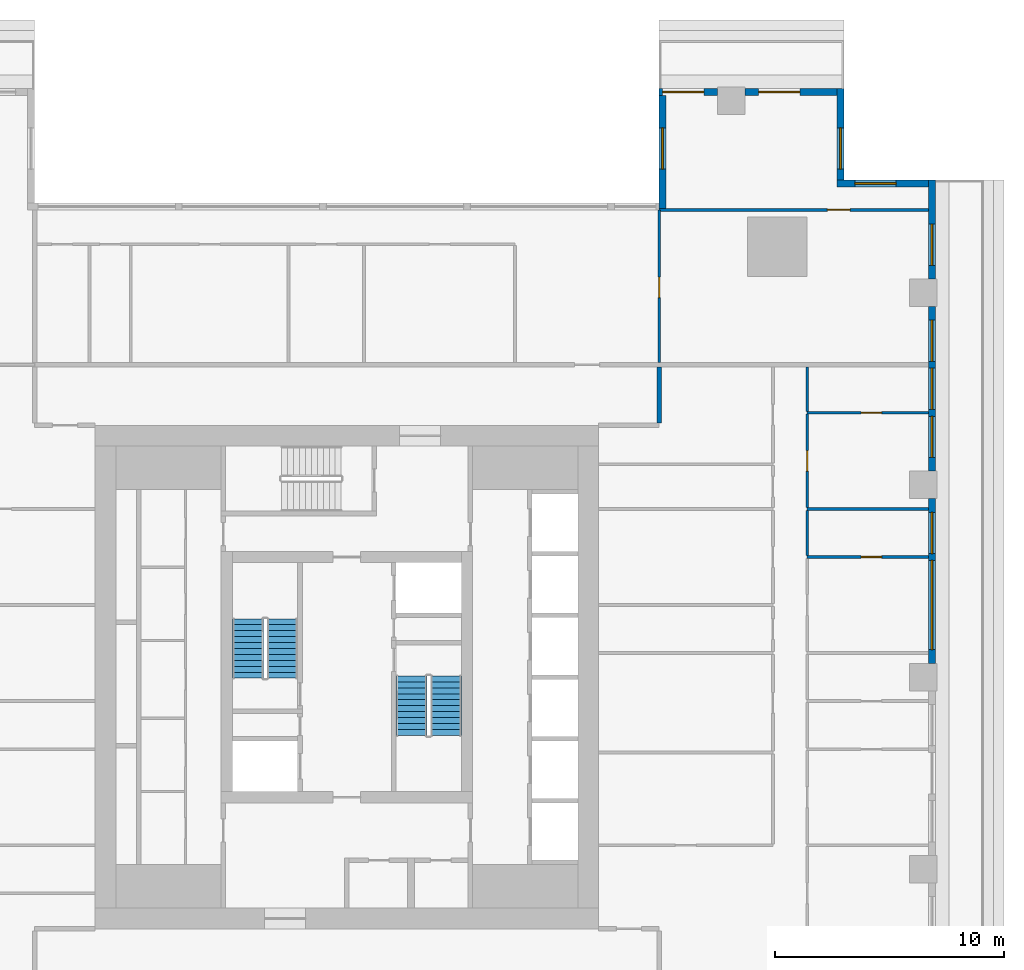
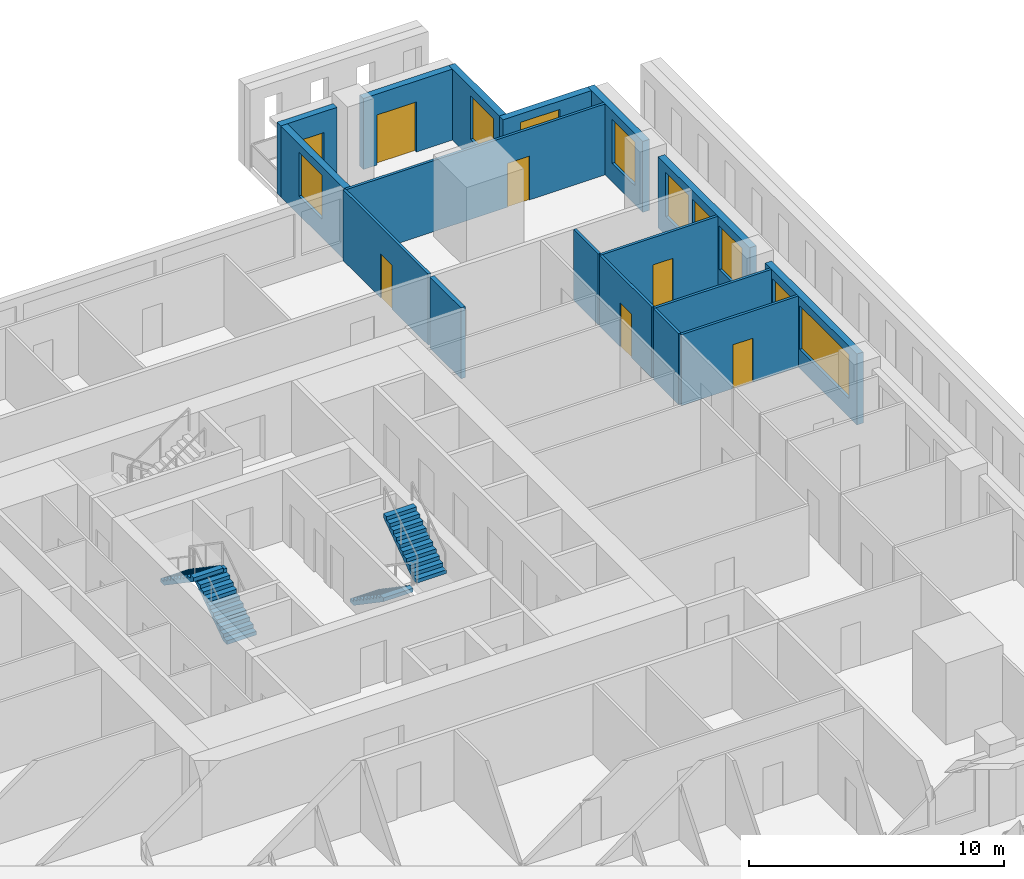
# One storey, part 9 of 16: 17 walls, 9 windows, 7 doors, 4 stair flights, 16 openings, 2 elements without a shape of their own.
"""IFC4 building model written with IfcOpenShell, lengths in metres."""

import ifcopenshell
import ifcopenshell.guid

model = None  # the IFC model being written
_history = None  # IfcOwnerHistory: only IFC2X3 demands one
_inside = {}  # id of a spatial element -> (the spatial element, [elements in it])
_under = {}  # id of a project, library or spatial element -> (it, [spatial elements below it])
_declared = {}  # id of a project -> (the project, [libraries it declares])
_typed = {}  # id of a type object -> (the type object, [elements of that type])
_made_of = {}  # id of a material, layer set ... -> (it, [elements and type objects made of it])


def new_model(schema):
    """Start an empty IFC model of exactly this schema.

    Asked for "IFC4X3", IfcOpenShell would pick the latest addendum, in which some entities
    have other attributes; the version numbers below select the first issue.
    IFC2X3 requires an IfcOwnerHistory on every rooted entity: one is made here for all.
    """
    global model, _history
    if schema == "IFC4X3":
        model = ifcopenshell.file(schema_version=(4, 3, 0, 0))
    else:
        model = ifcopenshell.file(schema=schema)
    _inside.clear()
    _under.clear()
    _declared.clear()
    _typed.clear()
    _made_of.clear()
    _history = None
    if model.schema == "IFC2X3":
        org = make("IfcOrganization", Name="unknown")
        user = make(
            "IfcPersonAndOrganization",
            ThePerson=make("IfcPerson", FamilyName="unknown"),
            TheOrganization=org,
        )
        app = make(
            "IfcApplication",
            ApplicationDeveloper=org,
            Version="unknown",
            ApplicationFullName="unknown",
            ApplicationIdentifier="unknown",
        )
        _history = make(
            "IfcOwnerHistory",
            OwningUser=user,
            OwningApplication=app,
            ChangeAction="ADDED",
            CreationDate=0,
        )
    return model


def make(cls, **values):
    """One entity of the class cls with the attributes given. An attribute that is None is left unset."""
    return model.create_entity(
        cls, **{name: value for name, value in values.items() if value is not None}
    )


def rooted(cls, **values):
    """An entity with a GlobalId (a new one), such as an element, a storey or a relation."""
    return make(cls, GlobalId=ifcopenshell.guid.new(), OwnerHistory=_history, **values)


def si_unit(unit_type, name, prefix=None):
    """IfcSIUnit, for example si_unit("LENGTHUNIT", "METRE", prefix="MILLI")."""
    return make("IfcSIUnit", UnitType=unit_type, Prefix=prefix, Name=name)


def assignment(units):
    """IfcUnitAssignment: the units of a project."""
    return None if units is None else make("IfcUnitAssignment", Units=units)


def point(xyz):
    """IfcCartesianPoint."""
    return None if xyz is None else make("IfcCartesianPoint", Coordinates=xyz)


def direction(xyz):
    """IfcDirection."""
    return None if xyz is None else make("IfcDirection", DirectionRatios=xyz)


def frame(location, z_axis=None, x_axis=None):
    """IfcAxis2Placement3D, a coordinate frame: its origin and axes. An axis left out is left unset."""
    return make(
        "IfcAxis2Placement3D",
        Location=point(location),
        Axis=direction(z_axis),
        RefDirection=direction(x_axis),
    )


def frame_2d(location, x_axis=None):
    """IfcAxis2Placement2D, a coordinate frame in the plane: its origin and x axis."""
    return make(
        "IfcAxis2Placement2D", Location=point(location), RefDirection=direction(x_axis)
    )


def origin():
    """The frame at (0, 0, 0) with its axes left unset."""
    return frame((0.0, 0.0, 0.0))


def place(relative_to, where):
    """IfcLocalPlacement: puts the frame where relative to a parent placement (None: the world)."""
    return make(
        "IfcLocalPlacement", PlacementRelTo=relative_to, RelativePlacement=where
    )


def context(
    kind, dimensions, precision=None, world=None, true_north=None, identifier=None
):
    """IfcGeometricRepresentationContext, for example the 3D "Model" context."""
    return make(
        "IfcGeometricRepresentationContext",
        ContextIdentifier=identifier,
        ContextType=kind,
        CoordinateSpaceDimension=dimensions,
        Precision=precision,
        WorldCoordinateSystem=world,
        TrueNorth=true_north,
    )


def subcontext(parent, identifier, kind, view, scale=None):
    """IfcGeometricRepresentationSubContext, for example "Body" below "Model"."""
    return make(
        "IfcGeometricRepresentationSubContext",
        ContextIdentifier=identifier,
        ContextType=kind,
        ParentContext=parent,
        TargetScale=scale,
        TargetView=view,
    )


def project(units=None, contexts=None):
    """IfcProject with its units and contexts."""
    return rooted(
        "IfcProject",
        Name="project",
        RepresentationContexts=contexts,
        UnitsInContext=assignment(units),
    )


def spatial(cls, under=None, at=None, **own):
    """A site, building, storey or space (cls), placed at a placement, below another one or the project."""
    s = rooted(cls, ObjectPlacement=at, **own)
    if under is not None:
        _under.setdefault(under.id(), (under, []))[1].append(s)
    return s


def polyline(points):
    """IfcPolyline through the points."""
    return make("IfcPolyline", Points=[point(p) for p in points])


def profile(cls, at=None, kind="AREA", **sizes):
    """A parametric profile (cls). Its sizes go by their IFC names, for example OverallWidth=200.0."""
    return make(cls, ProfileType=kind, Position=at, **sizes)


def rectangle(**sizes):
    """IfcRectangleProfileDef."""
    return profile("IfcRectangleProfileDef", **sizes)


def outline(outer, holes=None, kind="AREA"):
    """IfcArbitraryClosedProfileDef: a profile drawn as a closed curve; with holes, ...WithVoids."""
    if holes is None:
        return make("IfcArbitraryClosedProfileDef", ProfileType=kind, OuterCurve=outer)
    return make(
        "IfcArbitraryProfileDefWithVoids",
        ProfileType=kind,
        OuterCurve=outer,
        InnerCurves=holes,
    )


def extrude(swept, where, along, depth):
    """IfcExtrudedAreaSolid: the profile swept, set in the frame where, extruded along a direction by depth."""
    return make(
        "IfcExtrudedAreaSolid",
        SweptArea=swept,
        Position=where,
        ExtrudedDirection=direction(along),
        Depth=depth,
    )


def shape(context_of_items, identifier, shape_type, items):
    """IfcShapeRepresentation: the items that make up one representation, for example the "Body"."""
    return make(
        "IfcShapeRepresentation",
        ContextOfItems=context_of_items,
        RepresentationIdentifier=identifier,
        RepresentationType=shape_type,
        Items=items,
    )


def material(Name=None, Category=None):
    """IfcMaterial."""
    return make("IfcMaterial", Name=Name, Category=Category)


def layer(
    of_material, thickness, ventilated=None, Name=None, Category=None, Priority=None
):
    """IfcMaterialLayer: one layer of a wall or slab, of a material (None: an air gap)."""
    return make(
        "IfcMaterialLayer",
        Material=of_material,
        LayerThickness=thickness,
        IsVentilated=ventilated,
        Name=Name,
        Category=Category,
        Priority=Priority,
    )


def layer_set(layers, Name=None):
    """IfcMaterialLayerSet."""
    return make("IfcMaterialLayerSet", MaterialLayers=layers, LayerSetName=Name)


def made_of(thing, what):
    """Note that an element or type object is made of a material, layer set ...; save() writes the relation."""
    if what is not None:
        _made_of.setdefault(what.id(), (what, []))[1].append(thing)
    return thing


def type_object(cls, material=None, **own):
    """A type object (cls), such as IfcWallType, which elements share."""
    return made_of(rooted(cls, **own), material)


def element(
    cls,
    number,
    at=None,
    inside=None,
    cuts=None,
    type_object=None,
    material=None,
    context=None,
    identifier="Body",
    shape_type=None,
    held_by="IfcProductDefinitionShape",
    body=None,
    shapes=None,
    **own,
):
    """One element of the class cls, such as IfcWall. Its Tag is "e" and its number.

    at: its placement. inside: the storey or other place that contains it. cuts: it is an
    opening in that element (IfcRelVoidsElement). A single representation is given by context,
    identifier, shape_type and body (its items); several are given by shapes. held_by: the class
    of the entity that holds the representations. save() writes the other relations.
    """
    e = rooted(cls, Tag="e%d" % number, ObjectPlacement=at, **own)
    if body is not None:
        shapes = [shape(context, identifier, shape_type, body)]
    if shapes is not None:
        e.Representation = make(held_by, Representations=shapes)
    if inside is not None:
        _inside.setdefault(inside.id(), (inside, []))[1].append(e)
    if cuts is not None:
        rooted(
            "IfcRelVoidsElement", RelatingBuildingElement=cuts, RelatedOpeningElement=e
        )
    if type_object is not None:
        _typed.setdefault(type_object.id(), (type_object, []))[1].append(e)
    return made_of(e, material)


def fill(opening, filler):
    """IfcRelFillsElement: the door or window that sits in an opening."""
    return rooted(
        "IfcRelFillsElement",
        RelatingOpeningElement=opening,
        RelatedBuildingElement=filler,
    )


def aggregate(whole, parts):
    """IfcRelAggregates: a whole, such as a stair, and the parts it consists of."""
    return rooted("IfcRelAggregates", RelatingObject=whole, RelatedObjects=parts)


def save(model, path):
    """Write the relations noted so far, then the file.

    IfcRelAggregates (storeys below a building ...), IfcRelContainedInSpatialStructure (elements
    in a storey), IfcRelDefinesByType, IfcRelAssociatesMaterial and IfcRelDeclares: one each for
    every whole, place, type object, material and project.
    """
    for whole, parts in _under.values():
        aggregate(whole, parts)
    for where, things in _inside.values():
        rooted(
            "IfcRelContainedInSpatialStructure",
            RelatedElements=things,
            RelatingStructure=where,
        )
    for kind, things in _typed.values():
        rooted("IfcRelDefinesByType", RelatedObjects=things, RelatingType=kind)
    for what, things in _made_of.values():
        rooted("IfcRelAssociatesMaterial", RelatedObjects=things, RelatingMaterial=what)
    for by, libraries in _declared.values():
        rooted("IfcRelDeclares", RelatingContext=by, RelatedDefinitions=libraries)
    model.write(path)


model = new_model("IFC4")

# Units and contexts
model_context = context("Model", 3, precision=1e-05, world=origin(), true_north=direction((0.0, 1.0)))
body_context = subcontext(model_context, "Body", "Model", "MODEL_VIEW")
ifc_project = project(units=[si_unit("LENGTHUNIT", "METRE"), si_unit("AREAUNIT", "SQUARE_METRE"), si_unit("VOLUMEUNIT", "CUBIC_METRE"), si_unit("PLANEANGLEUNIT", "RADIAN"), si_unit("MASSUNIT", "GRAM", prefix="KILO")], contexts=[model_context])

# Site, building, storey
site_placement = place(None, origin())
site = spatial("IfcSite", under=ifc_project, at=site_placement, CompositionType="ELEMENT")
building_placement = place(site_placement, origin())
building = spatial("IfcBuilding", under=site, at=building_placement, Name="Khepri Terraces", CompositionType="ELEMENT")
storey_placement = place(building_placement, frame((0.0, 0.0, 176.699951171875)))
storey = spatial("IfcBuildingStorey", under=building, at=storey_placement, Name="L42", CompositionType="ELEMENT", Elevation=176.699951171875)

# Wall
ifc_material_1 = material(Name="Fire-rated gypsum plasterboard partition, mineral wool")
ifc_layer_1 = layer(ifc_material_1, 0.199951171875, Name="Fire-rated gypsum plasterboard partition, mineral wool")
ifc_layer_set_1 = layer_set([ifc_layer_1], Name="Fire-rated gypsum plasterboard partition, mineral wool")
wall_type_1 = type_object("IfcWallType", Name="WL-CORR-200", PredefinedType="PARTITIONING", material=ifc_layer_set_1)
wall_1_placement = place(storey_placement, frame((13.64990234375, 11.10009765625, 0.0), z_axis=(0.0, 0.0, 1.0), x_axis=(0.0, 1.0, 0.0)))
element("IfcWall", 1, at=wall_1_placement, inside=storey, type_object=wall_type_1, Name="Partition P-086 L42", PredefinedType="PARTITIONING", context=body_context, shape_type="SweptSolid", body=[
    extrude(rectangle(XDim=2.449951171875, YDim=0.199951171875, at=frame_2d((1.22509765625, 0.0))), origin(), (0.0, 0.0, 1.0), 3.400146484375),
])

# Wall, openings, windows
ifc_material_2 = material(Name="Precast concrete C50/60 warm stone", Category="masonry")
ifc_layer_2 = layer(ifc_material_2, 0.300048828125, Name="Precast concrete C50/60 warm stone", Category="masonry")
ifc_layer_set_2 = layer_set([ifc_layer_2], Name="Precast concrete C50/60 warm stone")
wall_type_2 = type_object("IfcWallType", Name="WL-EXT-PRECAST-300", PredefinedType="STANDARD", material=ifc_layer_set_2)
wall_2_placement = place(storey_placement, frame((25.570068359375, 0.60009765625, 0.0), z_axis=(0.0, 0.0, 1.0), x_axis=(0.0, 1.0, 0.0)))
wall_2 = element("IfcWall", 2, at=wall_2_placement, inside=storey, type_object=wall_type_2, Name="External wall L42 E", PredefinedType="STANDARD", context=body_context, shape_type="SweptSolid", body=[
    extrude(rectangle(XDim=7.199951171875, YDim=0.300048828125, at=frame_2d((3.60009765625, 0.0))), origin(), (0.0, 0.0, 1.0), 3.400146484375),
])
opening_1_placement = place(wall_2_placement, frame((0.60009765625, 0.0, 0.89990234375)))
opening_1 = element("IfcOpeningElement", 3, at=opening_1_placement, cuts=wall_2, Name="Opening W2", PredefinedType="OPENING", context=body_context, shape_type="SweptSolid", body=[
    extrude(rectangle(XDim=3.89990234375, YDim=2.10009765625, at=frame_2d((1.949951171875, 1.050048828125))), frame((0.0, 0.16015625, 0.0), z_axis=(0.0, -1.0, 0.0), x_axis=(1.0, 0.0, 0.0)), (0.0, 0.0, 1.0), 0.320068359375),
])
opening_2_placement = place(wall_2_placement, frame((4.800048828125, 0.0, 0.89990234375)))
opening_2 = element("IfcOpeningElement", 4, at=opening_2_placement, cuts=wall_2, Name="Opening W1", PredefinedType="OPENING", context=body_context, shape_type="SweptSolid", body=[
    extrude(rectangle(XDim=1.800048828125, YDim=2.10009765625, at=frame_2d((0.89990234375, 1.050048828125))), frame((0.0, 0.16015625, 0.0), z_axis=(0.0, -1.0, 0.0), x_axis=(1.0, 0.0, 0.0)), (0.0, 0.0, 1.0), 0.320068359375),
])
ifc_material_3 = material(Name="Clear glass", Category="glass")
window_type_1 = type_object("IfcWindowType", Name="WIN-RES-1800x2100", PartitioningType="SINGLE_PANEL", PredefinedType="WINDOW", material=ifc_material_3)
window_1_placement = place(opening_2_placement, origin())
window_1 = element("IfcWindow", 5, at=window_1_placement, inside=storey, type_object=window_type_1, Name="Window L42 E", OverallHeight=2.10009765625, OverallWidth=1.800048828125, PartitioningType="SINGLE_PANEL", PredefinedType="WINDOW", context=body_context, shape_type="SweptSolid", body=[
    extrude(rectangle(XDim=1.800048828125, YDim=2.10009765625, at=frame_2d((0.89990234375, 1.050048828125))), frame((0.0, 0.030029296875, 0.0), z_axis=(0.0, -1.0, 0.0), x_axis=(1.0, 0.0, 0.0)), (0.0, 0.0, 1.0), 0.06005859375),
])
fill(opening_2, window_1)
window_type_2 = type_object("IfcWindowType", Name="WIN-RES-3900x2100", PartitioningType="SINGLE_PANEL", PredefinedType="WINDOW", material=ifc_material_3)
window_2_placement = place(opening_1_placement, origin())
window_2 = element("IfcWindow", 6, at=window_2_placement, inside=storey, type_object=window_type_2, Name="Window L42 E", OverallHeight=2.10009765625, OverallWidth=3.89990234375, PartitioningType="SINGLE_PANEL", PredefinedType="WINDOW", context=body_context, shape_type="SweptSolid", body=[
    extrude(rectangle(XDim=3.89990234375, YDim=2.10009765625, at=frame_2d((1.949951171875, 1.050048828125))), frame((0.0, 0.030029296875, 0.0), z_axis=(0.0, -1.0, 0.0), x_axis=(1.0, 0.0, 0.0)), (0.0, 0.0, 1.0), 0.06005859375),
])
fill(opening_1, window_2)

wall_3_placement = place(storey_placement, frame((25.570068359375, 9.0, 0.0), z_axis=(0.0, 0.0, 1.0), x_axis=(0.0, 1.0, 0.0)))
wall_3 = element("IfcWall", 7, at=wall_3_placement, inside=storey, type_object=wall_type_2, Name="External wall L42 E", PredefinedType="STANDARD", context=body_context, shape_type="SweptSolid", body=[
    extrude(rectangle(XDim=7.199951171875, YDim=0.300048828125, at=frame_2d((3.60009765625, 0.0))), origin(), (0.0, 0.0, 1.0), 3.400146484375),
])
opening_3_placement = place(wall_3_placement, frame((0.60009765625, 0.0, 0.89990234375)))
opening_3 = element("IfcOpeningElement", 8, at=opening_3_placement, cuts=wall_3, Name="Opening W1", PredefinedType="OPENING", context=body_context, shape_type="SweptSolid", body=[
    extrude(rectangle(XDim=1.800048828125, YDim=2.10009765625, at=frame_2d((0.89990234375, 1.050048828125))), frame((0.0, 0.16015625, 0.0), z_axis=(0.0, -1.0, 0.0), x_axis=(1.0, 0.0, 0.0)), (0.0, 0.0, 1.0), 0.320068359375),
])
opening_4_placement = place(wall_3_placement, frame((2.699951171875, 0.0, 0.89990234375)))
opening_4 = element("IfcOpeningElement", 9, at=opening_4_placement, cuts=wall_3, Name="Opening W1", PredefinedType="OPENING", context=body_context, shape_type="SweptSolid", body=[
    extrude(rectangle(XDim=1.800048828125, YDim=2.10009765625, at=frame_2d((0.89990234375, 1.050048828125))), frame((0.0, 0.16015625, 0.0), z_axis=(0.0, -1.0, 0.0), x_axis=(1.0, 0.0, 0.0)), (0.0, 0.0, 1.0), 0.320068359375),
])
opening_5_placement = place(wall_3_placement, frame((4.800048828125, 0.0, 0.89990234375)))
opening_5 = element("IfcOpeningElement", 10, at=opening_5_placement, cuts=wall_3, Name="Opening W1", PredefinedType="OPENING", context=body_context, shape_type="SweptSolid", body=[
    extrude(rectangle(XDim=1.800048828125, YDim=2.10009765625, at=frame_2d((0.89990234375, 1.050048828125))), frame((0.0, 0.16015625, 0.0), z_axis=(0.0, -1.0, 0.0), x_axis=(1.0, 0.0, 0.0)), (0.0, 0.0, 1.0), 0.320068359375),
])
window_3_placement = place(opening_3_placement, origin())
window_3 = element("IfcWindow", 11, at=window_3_placement, inside=storey, type_object=window_type_1, Name="Window L42 E", OverallHeight=2.10009765625, OverallWidth=1.800048828125, PartitioningType="SINGLE_PANEL", PredefinedType="WINDOW", context=body_context, shape_type="SweptSolid", body=[
    extrude(rectangle(XDim=1.800048828125, YDim=2.10009765625, at=frame_2d((0.89990234375, 1.050048828125))), frame((0.0, 0.030029296875, 0.0), z_axis=(0.0, -1.0, 0.0), x_axis=(1.0, 0.0, 0.0)), (0.0, 0.0, 1.0), 0.06005859375),
])
fill(opening_3, window_3)
window_4_placement = place(opening_4_placement, origin())
window_4 = element("IfcWindow", 12, at=window_4_placement, inside=storey, type_object=window_type_1, Name="Window L42 E", OverallHeight=2.10009765625, OverallWidth=1.800048828125, PartitioningType="SINGLE_PANEL", PredefinedType="WINDOW", context=body_context, shape_type="SweptSolid", body=[
    extrude(rectangle(XDim=1.800048828125, YDim=2.10009765625, at=frame_2d((0.89990234375, 1.050048828125))), frame((0.0, 0.030029296875, 0.0), z_axis=(0.0, -1.0, 0.0), x_axis=(1.0, 0.0, 0.0)), (0.0, 0.0, 1.0), 0.06005859375),
])
fill(opening_4, window_4)
window_5_placement = place(opening_5_placement, origin())
window_5 = element("IfcWindow", 13, at=window_5_placement, inside=storey, type_object=window_type_1, Name="Window L42 E", OverallHeight=2.10009765625, OverallWidth=1.800048828125, PartitioningType="SINGLE_PANEL", PredefinedType="WINDOW", context=body_context, shape_type="SweptSolid", body=[
    extrude(rectangle(XDim=1.800048828125, YDim=2.10009765625, at=frame_2d((0.89990234375, 1.050048828125))), frame((0.0, 0.030029296875, 0.0), z_axis=(0.0, -1.0, 0.0), x_axis=(1.0, 0.0, 0.0)), (0.0, 0.0, 1.0), 0.06005859375),
])
fill(opening_5, window_5)

# Wall, opening, window
wall_4_placement = place(storey_placement, frame((25.570068359375, 17.39990234375, 0.0), z_axis=(0.0, 0.0, 1.0), x_axis=(0.0, 1.0, 0.0)))
wall_4 = element("IfcWall", 14, at=wall_4_placement, inside=storey, type_object=wall_type_2, Name="External wall L42 E", PredefinedType="STANDARD", context=body_context, shape_type="SweptSolid", body=[
    extrude(rectangle(XDim=4.320068359375, YDim=0.300048828125, at=frame_2d((2.16015625, 0.0))), origin(), (0.0, 0.0, 1.0), 3.400146484375),
])
opening_6_placement = place(wall_4_placement, frame((0.60009765625, 0.0, 0.89990234375)))
opening_6 = element("IfcOpeningElement", 15, at=opening_6_placement, cuts=wall_4, Name="Opening W1", PredefinedType="OPENING", context=body_context, shape_type="SweptSolid", body=[
    extrude(rectangle(XDim=1.800048828125, YDim=2.10009765625, at=frame_2d((0.89990234375, 1.050048828125))), frame((0.0, 0.16015625, 0.0), z_axis=(0.0, -1.0, 0.0), x_axis=(1.0, 0.0, 0.0)), (0.0, 0.0, 1.0), 0.320068359375),
])
window_6_placement = place(opening_6_placement, origin())
window_6 = element("IfcWindow", 16, at=window_6_placement, inside=storey, type_object=window_type_1, Name="Window L42 E", OverallHeight=2.10009765625, OverallWidth=1.800048828125, PartitioningType="SINGLE_PANEL", PredefinedType="WINDOW", context=body_context, shape_type="SweptSolid", body=[
    extrude(rectangle(XDim=1.800048828125, YDim=2.10009765625, at=frame_2d((0.89990234375, 1.050048828125))), frame((0.0, 0.030029296875, 0.0), z_axis=(0.0, -1.0, 0.0), x_axis=(1.0, 0.0, 0.0)), (0.0, 0.0, 1.0), 0.06005859375),
])
fill(opening_6, window_6)

wall_5_placement = place(storey_placement, frame((25.419921875, 21.570068359375, 0.0), z_axis=(0.0, 0.0, 1.0), x_axis=(-1.0, 0.0, 0.0)))
wall_5 = element("IfcWall", 17, at=wall_5_placement, inside=storey, type_object=wall_type_2, Name="External wall L42 N", PredefinedType="STANDARD", context=body_context, shape_type="SweptSolid", body=[
    extrude(rectangle(XDim=4.0, YDim=0.300048828125, at=frame_2d((2.0, 0.0))), origin(), (0.0, 0.0, 1.0), 3.400146484375),
])
opening_7_placement = place(wall_5_placement, frame((1.419921875, 0.0, 0.89990234375)))
opening_7 = element("IfcOpeningElement", 18, at=opening_7_placement, cuts=wall_5, Name="Opening W1", PredefinedType="OPENING", context=body_context, shape_type="SweptSolid", body=[
    extrude(rectangle(XDim=1.800048828125, YDim=2.10009765625, at=frame_2d((0.89990234375, 1.050048828125))), frame((0.0, 0.16015625, 0.0), z_axis=(0.0, -1.0, 0.0), x_axis=(1.0, 0.0, 0.0)), (0.0, 0.0, 1.0), 0.320068359375),
])
window_7_placement = place(opening_7_placement, origin())
window_7 = element("IfcWindow", 19, at=window_7_placement, inside=storey, type_object=window_type_1, Name="Window L42 N", OverallHeight=2.10009765625, OverallWidth=1.800048828125, PartitioningType="SINGLE_PANEL", PredefinedType="WINDOW", context=body_context, shape_type="SweptSolid", body=[
    extrude(rectangle(XDim=1.800048828125, YDim=2.10009765625, at=frame_2d((0.89990234375, 1.050048828125))), frame((0.0, 0.030029296875, 0.0), z_axis=(0.0, -1.0, 0.0), x_axis=(1.0, 0.0, 0.0)), (0.0, 0.0, 1.0), 0.06005859375),
])
fill(opening_7, window_7)

wall_6_placement = place(storey_placement, frame((21.570068359375, 21.719970703125, 0.0), z_axis=(0.0, 0.0, 1.0), x_axis=(0.0, 1.0, 0.0)))
wall_6 = element("IfcWall", 20, at=wall_6_placement, inside=storey, type_object=wall_type_2, Name="External wall L42 E", PredefinedType="STANDARD", context=body_context, shape_type="SweptSolid", body=[
    extrude(rectangle(XDim=4.0, YDim=0.300048828125, at=frame_2d((2.0, 0.0))), origin(), (0.0, 0.0, 1.0), 3.400146484375),
])
opening_8_placement = place(wall_6_placement, frame((0.47998046875, 0.0, 0.89990234375)))
opening_8 = element("IfcOpeningElement", 21, at=opening_8_placement, cuts=wall_6, Name="Opening W1", PredefinedType="OPENING", context=body_context, shape_type="SweptSolid", body=[
    extrude(rectangle(XDim=1.800048828125, YDim=2.10009765625, at=frame_2d((0.89990234375, 1.050048828125))), frame((0.0, 0.16015625, 0.0), z_axis=(0.0, -1.0, 0.0), x_axis=(1.0, 0.0, 0.0)), (0.0, 0.0, 1.0), 0.320068359375),
])
window_8_placement = place(opening_8_placement, origin())
window_8 = element("IfcWindow", 22, at=window_8_placement, inside=storey, type_object=window_type_1, Name="Window L42 E", OverallHeight=2.10009765625, OverallWidth=1.800048828125, PartitioningType="SINGLE_PANEL", PredefinedType="WINDOW", context=body_context, shape_type="SweptSolid", body=[
    extrude(rectangle(XDim=1.800048828125, YDim=2.10009765625, at=frame_2d((0.89990234375, 1.050048828125))), frame((0.0, 0.030029296875, 0.0), z_axis=(0.0, -1.0, 0.0), x_axis=(1.0, 0.0, 0.0)), (0.0, 0.0, 1.0), 0.06005859375),
])
fill(opening_8, window_8)

# Wall, opening, door
wall_7_placement = place(storey_placement, frame((21.419921875, 25.570068359375, 0.0), z_axis=(0.0, 0.0, 1.0), x_axis=(-1.0, 0.0, 0.0)))
wall_7 = element("IfcWall", 23, at=wall_7_placement, inside=storey, type_object=wall_type_2, Name="External wall L42 N", PredefinedType="STANDARD", context=body_context, shape_type="SweptSolid", body=[
    extrude(rectangle(XDim=4.02001953125, YDim=0.300048828125, at=frame_2d((2.010009765625, 0.0))), origin(), (0.0, 0.0, 1.0), 3.400146484375),
])
opening_9_placement = place(wall_7_placement, frame((1.6201171875, 0.0, 0.0)))
opening_9 = element("IfcOpeningElement", 24, at=opening_9_placement, cuts=wall_7, Name="Opening ED-L42-04", PredefinedType="OPENING", context=body_context, shape_type="SweptSolid", body=[
    extrude(rectangle(XDim=1.800048828125, YDim=2.39990234375, at=frame_2d((0.89990234375, 1.199951171875))), frame((0.0, 0.16015625, 0.0), z_axis=(0.0, -1.0, 0.0), x_axis=(1.0, 0.0, 0.0)), (0.0, 0.0, 1.0), 0.320068359375),
])
ifc_material_4 = material(Name="Anodised aluminium bronze glazed door", Category="aluminium")
door_type_1 = type_object("IfcDoorType", Name="DR-BAL-SLIDE-1800x2400", OperationType="NOTDEFINED", PredefinedType="DOOR", material=ifc_material_4)
door_1_placement = place(opening_9_placement, origin())
door_1 = element("IfcDoor", 25, at=door_1_placement, inside=storey, type_object=door_type_1, Name="Balcony door L42 N", OperationType="SLIDING_TO_RIGHT", OverallHeight=2.39990234375, OverallWidth=1.800048828125, PredefinedType="DOOR", context=body_context, shape_type="SweptSolid", body=[
    extrude(rectangle(XDim=1.800048828125, YDim=2.39990234375, at=frame_2d((0.89990234375, 1.199951171875))), frame((0.0, 0.02490234375, 0.0), z_axis=(0.0, -1.0, 0.0), x_axis=(1.0, 0.0, 0.0)), (0.0, 0.0, 1.0), 0.050048828125),
])
fill(opening_9, door_1)

wall_8_placement = place(storey_placement, frame((16.199951171875, 25.570068359375, 0.0), z_axis=(0.0, 0.0, 1.0), x_axis=(-1.0, 0.0, 0.0)))
wall_8 = element("IfcWall", 26, at=wall_8_placement, inside=storey, type_object=wall_type_2, Name="External wall L42 N", PredefinedType="STANDARD", context=body_context, shape_type="SweptSolid", body=[
    extrude(rectangle(XDim=2.550048828125, YDim=0.300048828125, at=frame_2d((1.27490234375, 0.0))), origin(), (0.0, 0.0, 1.0), 3.400146484375),
])
opening_10_placement = place(wall_8_placement, frame((0.60009765625, 0.0, 0.0)))
opening_10 = element("IfcOpeningElement", 27, at=opening_10_placement, cuts=wall_8, Name="Opening ED-L42-05", PredefinedType="OPENING", context=body_context, shape_type="SweptSolid", body=[
    extrude(rectangle(XDim=1.800048828125, YDim=2.39990234375, at=frame_2d((0.89990234375, 1.199951171875))), frame((0.0, 0.16015625, 0.0), z_axis=(0.0, -1.0, 0.0), x_axis=(1.0, 0.0, 0.0)), (0.0, 0.0, 1.0), 0.320068359375),
])
door_2_placement = place(opening_10_placement, origin())
door_2 = element("IfcDoor", 28, at=door_2_placement, inside=storey, type_object=door_type_1, Name="Balcony door L42 N", OperationType="SLIDING_TO_LEFT", OverallHeight=2.39990234375, OverallWidth=1.800048828125, PredefinedType="DOOR", context=body_context, shape_type="SweptSolid", body=[
    extrude(rectangle(XDim=1.800048828125, YDim=2.39990234375, at=frame_2d((0.89990234375, 1.199951171875))), frame((0.0, 0.02490234375, 0.0), z_axis=(0.0, -1.0, 0.0), x_axis=(1.0, 0.0, 0.0)), (0.0, 0.0, 1.0), 0.050048828125),
])
fill(opening_10, door_2)

# Wall, opening, window
wall_9_placement = place(storey_placement, frame((13.800048828125, 25.419921875, 0.0), z_axis=(0.0, 0.0, 1.0), x_axis=(0.0, -1.0, 0.0)))
wall_9 = element("IfcWall", 29, at=wall_9_placement, inside=storey, type_object=wall_type_2, Name="External wall L42 W", PredefinedType="STANDARD", context=body_context, shape_type="SweptSolid", body=[
    extrude(rectangle(XDim=5.0, YDim=0.300048828125, at=frame_2d((2.5, 0.0))), origin(), (0.0, 0.0, 1.0), 3.400146484375),
])
opening_11_placement = place(wall_9_placement, frame((1.419921875, 0.0, 0.89990234375)))
opening_11 = element("IfcOpeningElement", 30, at=opening_11_placement, cuts=wall_9, Name="Opening W1", PredefinedType="OPENING", context=body_context, shape_type="SweptSolid", body=[
    extrude(rectangle(XDim=1.800048828125, YDim=2.10009765625, at=frame_2d((0.89990234375, 1.050048828125))), frame((0.0, 0.16015625, 0.0), z_axis=(0.0, -1.0, 0.0), x_axis=(1.0, 0.0, 0.0)), (0.0, 0.0, 1.0), 0.320068359375),
])
window_9_placement = place(opening_11_placement, origin())
window_9 = element("IfcWindow", 31, at=window_9_placement, inside=storey, type_object=window_type_1, Name="Window L42 W", OverallHeight=2.10009765625, OverallWidth=1.800048828125, PartitioningType="SINGLE_PANEL", PredefinedType="WINDOW", context=body_context, shape_type="SweptSolid", body=[
    extrude(rectangle(XDim=1.800048828125, YDim=2.10009765625, at=frame_2d((0.89990234375, 1.050048828125))), frame((0.0, 0.030029296875, 0.0), z_axis=(0.0, -1.0, 0.0), x_axis=(1.0, 0.0, 0.0)), (0.0, 0.0, 1.0), 0.06005859375),
])
fill(opening_11, window_9)

# Wall, opening, door
ifc_material_5 = material(Name="Gypsum plasterboard partition")
ifc_layer_3 = layer(ifc_material_5, 0.1201171875, Name="Gypsum plasterboard partition")
ifc_layer_set_3 = layer_set([ifc_layer_3], Name="Gypsum plasterboard partition")
wall_type_3 = type_object("IfcWallType", Name="WL-PART-120", PredefinedType="PARTITIONING", material=ifc_layer_set_3)
wall_10_placement = place(storey_placement, frame((20.1201171875, 5.25, 0.0), z_axis=(0.0, 0.0, 1.0), x_axis=(1.0, 0.0, 0.0)))
wall_10 = element("IfcWall", 32, at=wall_10_placement, inside=storey, type_object=wall_type_3, Name="Partition P-072 L42", PredefinedType="PARTITIONING", context=body_context, shape_type="SweptSolid", body=[
    extrude(rectangle(XDim=5.2998046875, YDim=0.1201171875, at=frame_2d((2.64990234375, 0.0))), origin(), (0.0, 0.0, 1.0), 3.400146484375),
])
opening_12_placement = place(wall_10_placement, frame((2.35009765625, 0.0, 0.0)))
opening_12 = element("IfcOpeningElement", 33, at=opening_12_placement, cuts=wall_10, Name="Opening D4", PredefinedType="OPENING", context=body_context, shape_type="SweptSolid", body=[
    extrude(rectangle(XDim=0.89990234375, YDim=2.10009765625, at=frame_2d((0.449951171875, 1.050048828125))), frame((0.0, 0.070068359375, 0.0), z_axis=(0.0, -1.0, 0.0), x_axis=(1.0, 0.0, 0.0)), (0.0, 0.0, 1.0), 0.14013671875),
])
ifc_material_6 = material(Name="Timber door leaf, moisture resistant", Category="wood")
door_type_2 = type_object("IfcDoorType", Name="DR-WET-900", OperationType="NOTDEFINED", PredefinedType="DOOR", material=ifc_material_6)
door_3_placement = place(opening_12_placement, origin())
door_3 = element("IfcDoor", 34, at=door_3_placement, inside=storey, type_object=door_type_2, Name="Door Bathroom", OperationType="SINGLE_SWING_RIGHT", OverallHeight=2.10009765625, OverallWidth=0.89990234375, PredefinedType="DOOR", context=body_context, shape_type="SweptSolid", body=[
    extrude(rectangle(XDim=0.89990234375, YDim=2.10009765625, at=frame_2d((0.449951171875, 1.050048828125))), frame((0.0, 0.02490234375, 0.0), z_axis=(0.0, -1.0, 0.0), x_axis=(1.0, 0.0, 0.0)), (0.0, 0.0, 1.0), 0.050048828125),
])
fill(opening_12, door_3)

# Walls
wall_11_placement = place(storey_placement, frame((20.1201171875, 5.31005859375, 0.0), z_axis=(0.0, 0.0, 1.0), x_axis=(0.0, 1.0, 0.0)))
element("IfcWall", 35, at=wall_11_placement, inside=storey, type_object=wall_type_3, Name="Partition P-073 L42", PredefinedType="PARTITIONING", context=body_context, shape_type="SweptSolid", body=[
    extrude(rectangle(XDim=1.97998046875, YDim=0.1201171875, at=frame_2d((0.989990234375, 0.0))), origin(), (0.0, 0.0, 1.0), 3.400146484375),
])
wall_12_placement = place(storey_placement, frame((20.1201171875, 7.35009765625, 0.0), z_axis=(0.0, 0.0, 1.0), x_axis=(1.0, 0.0, 0.0)))
element("IfcWall", 36, at=wall_12_placement, inside=storey, type_object=wall_type_3, Name="Partition P-077 L42", PredefinedType="PARTITIONING", context=body_context, shape_type="SweptSolid", body=[
    extrude(rectangle(XDim=5.2998046875, YDim=0.1201171875, at=frame_2d((2.64990234375, 0.0))), origin(), (0.0, 0.0, 1.0), 3.400146484375),
])

# Wall, opening, door
wall_13_placement = place(storey_placement, frame((20.1201171875, 7.409912109375, 0.0), z_axis=(0.0, 0.0, 1.0), x_axis=(0.0, 1.0, 0.0)))
wall_13 = element("IfcWall", 37, at=wall_13_placement, inside=storey, type_object=wall_type_3, Name="Partition P-080 L42", PredefinedType="PARTITIONING", context=body_context, shape_type="SweptSolid", body=[
    extrude(rectangle(XDim=4.080078125, YDim=0.1201171875, at=frame_2d((2.0400390625, 0.0))), origin(), (0.0, 0.0, 1.0), 3.400146484375),
])
opening_13_placement = place(wall_13_placement, frame((1.590087890625, 0.0, 0.0)))
opening_13 = element("IfcOpeningElement", 38, at=opening_13_placement, cuts=wall_13, Name="Opening D3", PredefinedType="OPENING", context=body_context, shape_type="SweptSolid", body=[
    extrude(rectangle(XDim=0.89990234375, YDim=2.10009765625, at=frame_2d((0.449951171875, 1.050048828125))), frame((0.0, 0.070068359375, 0.0), z_axis=(0.0, -1.0, 0.0), x_axis=(1.0, 0.0, 0.0)), (0.0, 0.0, 1.0), 0.14013671875),
])
ifc_material_7 = material(Name="Timber door leaf", Category="wood")
door_type_3 = type_object("IfcDoorType", Name="DR-INT-900", OperationType="NOTDEFINED", PredefinedType="DOOR", material=ifc_material_7)
door_4_placement = place(opening_13_placement, frame((0.89990234375, 0.0, 0.0), z_axis=(0.0, 0.0, 1.0), x_axis=(-1.0, 0.0, 0.0)))
door_4 = element("IfcDoor", 39, at=door_4_placement, inside=storey, type_object=door_type_3, Name="Door Bedroom", OperationType="SINGLE_SWING_RIGHT", OverallHeight=2.10009765625, OverallWidth=0.89990234375, PredefinedType="DOOR", context=body_context, shape_type="SweptSolid", body=[
    extrude(rectangle(XDim=0.89990234375, YDim=2.10009765625, at=frame_2d((0.449951171875, 1.050048828125))), frame((0.0, 0.02490234375, 0.0), z_axis=(0.0, -1.0, 0.0), x_axis=(1.0, 0.0, 0.0)), (0.0, 0.0, 1.0), 0.050048828125),
])
fill(opening_13, door_4)

wall_14_placement = place(storey_placement, frame((20.1201171875, 11.550048828125, 0.0), z_axis=(0.0, 0.0, 1.0), x_axis=(1.0, 0.0, 0.0)))
wall_14 = element("IfcWall", 40, at=wall_14_placement, inside=storey, type_object=wall_type_3, Name="Partition P-088 L42", PredefinedType="PARTITIONING", context=body_context, shape_type="SweptSolid", body=[
    extrude(rectangle(XDim=5.2998046875, YDim=0.1201171875, at=frame_2d((2.64990234375, 0.0))), origin(), (0.0, 0.0, 1.0), 3.400146484375),
])
opening_14_placement = place(wall_14_placement, frame((2.35009765625, 0.0, 0.0)))
opening_14 = element("IfcOpeningElement", 41, at=opening_14_placement, cuts=wall_14, Name="Opening D4", PredefinedType="OPENING", context=body_context, shape_type="SweptSolid", body=[
    extrude(rectangle(XDim=0.89990234375, YDim=2.10009765625, at=frame_2d((0.449951171875, 1.050048828125))), frame((0.0, 0.070068359375, 0.0), z_axis=(0.0, -1.0, 0.0), x_axis=(1.0, 0.0, 0.0)), (0.0, 0.0, 1.0), 0.14013671875),
])
door_5_placement = place(opening_14_placement, origin())
door_5 = element("IfcDoor", 42, at=door_5_placement, inside=storey, type_object=door_type_2, Name="Door Bathroom", OperationType="SINGLE_SWING_RIGHT", OverallHeight=2.10009765625, OverallWidth=0.89990234375, PredefinedType="DOOR", context=body_context, shape_type="SweptSolid", body=[
    extrude(rectangle(XDim=0.89990234375, YDim=2.10009765625, at=frame_2d((0.449951171875, 1.050048828125))), frame((0.0, 0.02490234375, 0.0), z_axis=(0.0, -1.0, 0.0), x_axis=(1.0, 0.0, 0.0)), (0.0, 0.0, 1.0), 0.050048828125),
])
fill(opening_14, door_5)

# Wall
wall_15_placement = place(storey_placement, frame((20.1201171875, 11.610107421875, 0.0), z_axis=(0.0, 0.0, 1.0), x_axis=(0.0, 1.0, 0.0)))
element("IfcWall", 43, at=wall_15_placement, inside=storey, type_object=wall_type_3, Name="Partition P-090 L42", PredefinedType="PARTITIONING", context=body_context, shape_type="SweptSolid", body=[
    extrude(rectangle(XDim=1.93994140625, YDim=0.1201171875, at=frame_2d((0.969970703125, 0.0))), origin(), (0.0, 0.0, 1.0), 3.400146484375),
])

# Wall, opening, door
wall_16_placement = place(storey_placement, frame((13.64990234375, 13.75, 0.0), z_axis=(0.0, 0.0, 1.0), x_axis=(0.0, 1.0, 0.0)))
wall_16 = element("IfcWall", 44, at=wall_16_placement, inside=storey, type_object=wall_type_3, Name="Partition P-100 L42", PredefinedType="PARTITIONING", context=body_context, shape_type="SweptSolid", body=[
    extrude(rectangle(XDim=6.6689453125, YDim=0.1201171875, at=frame_2d((3.33447265625, 0.0))), origin(), (0.0, 0.0, 1.0), 3.400146484375),
])
opening_15_placement = place(wall_16_placement, frame((2.83447265625, 0.0, 0.0)))
opening_15 = element("IfcOpeningElement", 45, at=opening_15_placement, cuts=wall_16, Name="Opening D3", PredefinedType="OPENING", context=body_context, shape_type="SweptSolid", body=[
    extrude(rectangle(XDim=0.89990234375, YDim=2.10009765625, at=frame_2d((0.449951171875, 1.050048828125))), frame((0.0, 0.070068359375, 0.0), z_axis=(0.0, -1.0, 0.0), x_axis=(1.0, 0.0, 0.0)), (0.0, 0.0, 1.0), 0.14013671875),
])
door_6_placement = place(opening_15_placement, frame((0.89990234375, 0.0, 0.0), z_axis=(0.0, 0.0, 1.0), x_axis=(-1.0, 0.0, 0.0)))
door_6 = element("IfcDoor", 46, at=door_6_placement, inside=storey, type_object=door_type_3, Name="Door Library", OperationType="SINGLE_SWING_RIGHT", OverallHeight=2.10009765625, OverallWidth=0.89990234375, PredefinedType="DOOR", context=body_context, shape_type="SweptSolid", body=[
    extrude(rectangle(XDim=0.89990234375, YDim=2.10009765625, at=frame_2d((0.449951171875, 1.050048828125))), frame((0.0, 0.02490234375, 0.0), z_axis=(0.0, -1.0, 0.0), x_axis=(1.0, 0.0, 0.0)), (0.0, 0.0, 1.0), 0.050048828125),
])
fill(opening_15, door_6)

wall_17_placement = place(storey_placement, frame((13.65087890625, 20.419921875, 0.0), z_axis=(0.0, 0.0, 1.0), x_axis=(1.0, 0.0, 0.0)))
wall_17 = element("IfcWall", 47, at=wall_17_placement, inside=storey, type_object=wall_type_3, Name="Partition P-102 L42", PredefinedType="PARTITIONING", context=body_context, shape_type="SweptSolid", body=[
    extrude(rectangle(XDim=11.76904296875, YDim=0.1201171875, at=frame_2d((5.884521484375, 0.0))), origin(), (0.0, 0.0, 1.0), 3.400146484375),
])
opening_16_placement = place(wall_17_placement, frame((7.344970703125, 0.0, 0.0)))
opening_16 = element("IfcOpeningElement", 48, at=opening_16_placement, cuts=wall_17, Name="Opening D2", PredefinedType="OPENING", context=body_context, shape_type="SweptSolid", body=[
    extrude(rectangle(XDim=1.0, YDim=2.10009765625, at=frame_2d((0.5, 1.050048828125))), frame((0.0, 0.070068359375, 0.0), z_axis=(0.0, -1.0, 0.0), x_axis=(1.0, 0.0, 0.0)), (0.0, 0.0, 1.0), 0.14013671875),
])
ifc_material_8 = material(Name="Timber door leaf, living room door", Category="wood")
door_type_4 = type_object("IfcDoorType", Name="DR-INT-1000", OperationType="NOTDEFINED", PredefinedType="DOOR", material=ifc_material_8)
door_7_placement = place(opening_16_placement, origin())
door_7 = element("IfcDoor", 49, at=door_7_placement, inside=storey, type_object=door_type_4, Name="Door Living Room", OperationType="SINGLE_SWING_RIGHT", OverallHeight=2.10009765625, OverallWidth=1.0, PredefinedType="DOOR", context=body_context, shape_type="SweptSolid", body=[
    extrude(rectangle(XDim=1.0, YDim=2.10009765625, at=frame_2d((0.5, 1.050048828125))), frame((0.0, 0.02490234375, 0.0), z_axis=(0.0, -1.0, 0.0), x_axis=(1.0, 0.0, 0.0)), (0.0, 0.0, 1.0), 0.050048828125),
])
fill(opening_16, door_7)

# Stair, stair flights
ifc_material_9 = material(Name="Concrete C40/50", Category="concrete")
stair_type = type_object("IfcStairType", Name="STAIR-RC-22R", PredefinedType="HALF_TURN_STAIR", material=ifc_material_9)
stair_1_placement = place(storey_placement, origin())
stair_1 = element("IfcStair", 50, at=stair_1_placement, inside=storey, type_object=stair_type, Name="L42 Exit Stair ST-1", PredefinedType="HALF_TURN_STAIR")
stair_flight_type = type_object("IfcStairFlightType", Name="SFL-RC-177.3", PredefinedType="STRAIGHT", material=ifc_material_9)
stair_flight_1_placement = place(storey_placement, frame((-2.824951171875, -0.050048828125, 0.0), z_axis=(0.0, 0.0, 1.0), x_axis=(0.0, 1.0, 0.0)))
stair_flight_1 = element("IfcStairFlight", 51, at=stair_flight_1_placement, type_object=stair_flight_type, Name="ST-1 flight 1", NumberOfRisers=11, NumberOfTreads=10, PredefinedType="STRAIGHT", RiserHeight=0.177272727, TreadLength=0.26, context=body_context, shape_type="SweptSolid", body=[
    extrude(outline(polyline([(0.0, 0.0), (0.0, 0.17724609375), (0.260009765625, 0.17724609375), (0.260009765625, 0.3544921875), (0.52001953125, 0.3544921875), (0.52001953125, 0.53173828125), (0.780029296875, 0.53173828125), (0.780029296875, 0.708984375), (1.0400390625, 0.708984375), (1.0400390625, 0.886474609375), (1.300048828125, 0.886474609375), (1.300048828125, 1.063720703125), (1.56005859375, 1.063720703125), (1.56005859375, 1.240966796875), (1.820068359375, 1.240966796875), (1.820068359375, 1.418212890625), (2.080078125, 1.418212890625), (2.080078125, 1.595458984375), (2.340087890625, 1.595458984375), (2.340087890625, 1.772705078125), (2.60009765625, 1.772705078125), (2.60009765625, 1.949951171875), (2.60009765625, 1.59130859375), (0.26611328125, 0.0), (0.0, 0.0)])), frame((0.0, 0.675048828125, 0.0), z_axis=(0.0, -1.0, 0.0), x_axis=(1.0, 0.0, 0.0)), (0.0, 0.0, 1.0), 1.35009765625),
])
stair_flight_2_placement = place(storey_placement, frame((-4.324951171875, 2.550048828125, 1.949951171875), z_axis=(0.0, 0.0, 1.0), x_axis=(0.0, -1.0, 0.0)))
stair_flight_2 = element("IfcStairFlight", 52, at=stair_flight_2_placement, type_object=stair_flight_type, Name="ST-1 flight 2", NumberOfRisers=11, NumberOfTreads=10, PredefinedType="STRAIGHT", RiserHeight=0.177272727, TreadLength=0.26, context=body_context, shape_type="SweptSolid", body=[
    extrude(outline(polyline([(0.0, 0.0), (0.0, 0.17724609375), (0.260009765625, 0.17724609375), (0.260009765625, 0.3544921875), (0.52001953125, 0.3544921875), (0.52001953125, 0.53173828125), (0.780029296875, 0.53173828125), (0.780029296875, 0.708984375), (1.0400390625, 0.708984375), (1.0400390625, 0.886474609375), (1.300048828125, 0.886474609375), (1.300048828125, 1.063720703125), (1.56005859375, 1.063720703125), (1.56005859375, 1.240966796875), (1.820068359375, 1.240966796875), (1.820068359375, 1.418212890625), (2.080078125, 1.418212890625), (2.080078125, 1.595458984375), (2.340087890625, 1.595458984375), (2.340087890625, 1.772705078125), (2.60009765625, 1.772705078125), (2.60009765625, 1.949951171875), (2.60009765625, 1.59130859375), (0.26611328125, 0.0), (0.0, 0.0)])), frame((0.0, 0.675048828125, 0.0), z_axis=(0.0, -1.0, 0.0), x_axis=(1.0, 0.0, 0.0)), (0.0, 0.0, 1.0), 1.35009765625),
])
aggregate(stair_1, [stair_flight_1, stair_flight_2])

stair_2_placement = place(storey_placement, origin())
stair_2 = element("IfcStair", 53, at=stair_2_placement, inside=storey, type_object=stair_type, Name="L42 Exit Stair ST-2", PredefinedType="HALF_TURN_STAIR")
stair_flight_3_placement = place(storey_placement, frame((2.824951171875, 0.050048828125, 0.0), z_axis=(0.0, 0.0, 1.0), x_axis=(0.0, -1.0, 0.0)))
stair_flight_3 = element("IfcStairFlight", 54, at=stair_flight_3_placement, type_object=stair_flight_type, Name="ST-2 flight 1", NumberOfRisers=11, NumberOfTreads=10, PredefinedType="STRAIGHT", RiserHeight=0.177272727, TreadLength=0.26, context=body_context, shape_type="SweptSolid", body=[
    extrude(outline(polyline([(0.0, 0.0), (0.0, 0.17724609375), (0.260009765625, 0.17724609375), (0.260009765625, 0.3544921875), (0.52001953125, 0.3544921875), (0.52001953125, 0.53173828125), (0.780029296875, 0.53173828125), (0.780029296875, 0.708984375), (1.0400390625, 0.708984375), (1.0400390625, 0.886474609375), (1.300048828125, 0.886474609375), (1.300048828125, 1.063720703125), (1.56005859375, 1.063720703125), (1.56005859375, 1.240966796875), (1.820068359375, 1.240966796875), (1.820068359375, 1.418212890625), (2.080078125, 1.418212890625), (2.080078125, 1.595458984375), (2.340087890625, 1.595458984375), (2.340087890625, 1.772705078125), (2.60009765625, 1.772705078125), (2.60009765625, 1.949951171875), (2.60009765625, 1.59130859375), (0.26611328125, 0.0), (0.0, 0.0)])), frame((0.0, 0.675048828125, 0.0), z_axis=(0.0, -1.0, 0.0), x_axis=(1.0, 0.0, 0.0)), (0.0, 0.0, 1.0), 1.35009765625),
])
stair_flight_4_placement = place(storey_placement, frame((4.324951171875, -2.550048828125, 1.949951171875), z_axis=(0.0, 0.0, 1.0), x_axis=(0.0, 1.0, 0.0)))
stair_flight_4 = element("IfcStairFlight", 55, at=stair_flight_4_placement, type_object=stair_flight_type, Name="ST-2 flight 2", NumberOfRisers=11, NumberOfTreads=10, PredefinedType="STRAIGHT", RiserHeight=0.177272727, TreadLength=0.26, context=body_context, shape_type="SweptSolid", body=[
    extrude(outline(polyline([(0.0, 0.0), (0.0, 0.17724609375), (0.260009765625, 0.17724609375), (0.260009765625, 0.3544921875), (0.52001953125, 0.3544921875), (0.52001953125, 0.53173828125), (0.780029296875, 0.53173828125), (0.780029296875, 0.708984375), (1.0400390625, 0.708984375), (1.0400390625, 0.886474609375), (1.300048828125, 0.886474609375), (1.300048828125, 1.063720703125), (1.56005859375, 1.063720703125), (1.56005859375, 1.240966796875), (1.820068359375, 1.240966796875), (1.820068359375, 1.418212890625), (2.080078125, 1.418212890625), (2.080078125, 1.595458984375), (2.340087890625, 1.595458984375), (2.340087890625, 1.772705078125), (2.60009765625, 1.772705078125), (2.60009765625, 1.949951171875), (2.60009765625, 1.59130859375), (0.26611328125, 0.0), (0.0, 0.0)])), frame((0.0, 0.675048828125, 0.0), z_axis=(0.0, -1.0, 0.0), x_axis=(1.0, 0.0, 0.0)), (0.0, 0.0, 1.0), 1.35009765625),
])
aggregate(stair_2, [stair_flight_3, stair_flight_4])

save(model, "model.ifc")
